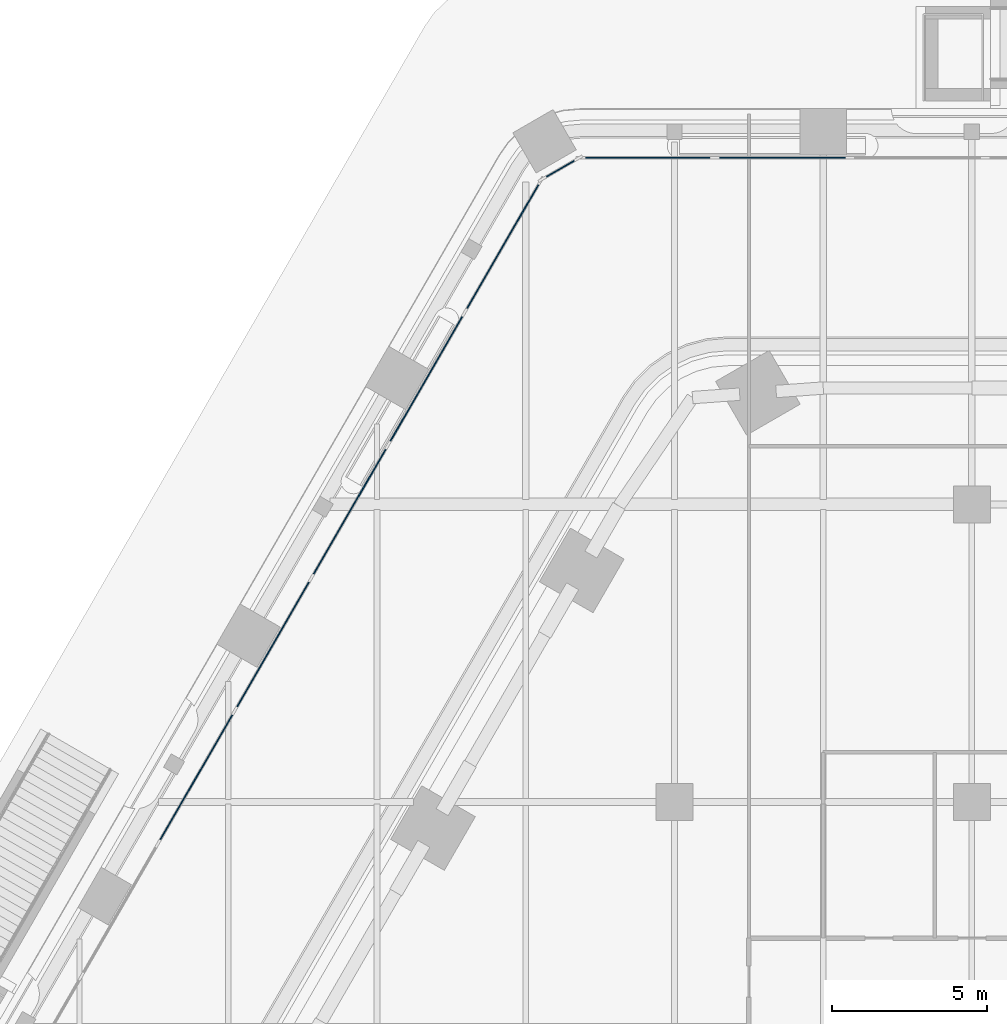
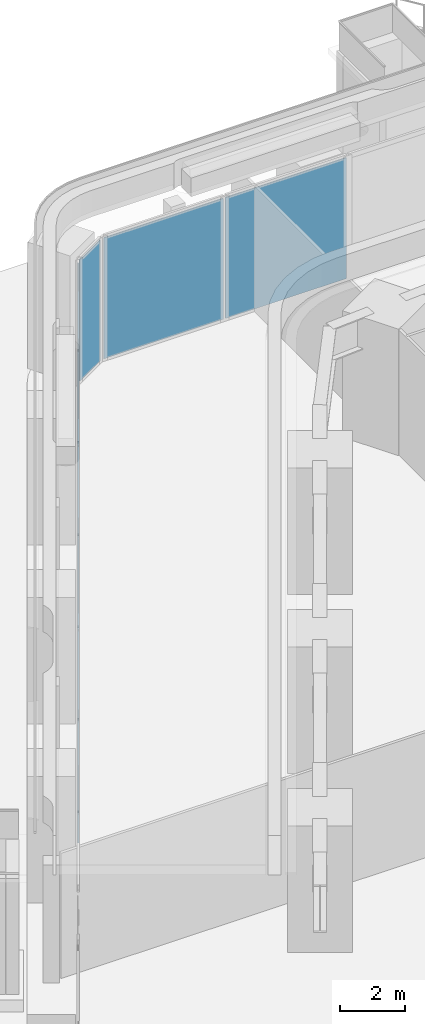
# One storey, part 16 of 34: 8 plates, 3 elements without a shape of their own.
"""IFC4 building model written with IfcOpenShell, lengths in metres."""

from ifc_helpers import new_model, si_unit, direction, frame, origin, origin_2d, place, context, subcontext, project, spatial, rectangle, extrude, material, layer, layer_set, type_object, element, aggregate, save


model = new_model("IFC4")

# Units and contexts
model_context = context("Model", 3, precision=1e-05, world=origin(), true_north=direction((0.0, 1.0)))
body_context = subcontext(model_context, "Body", "Model", "MODEL_VIEW")
ifc_project = project(units=[si_unit("LENGTHUNIT", "METRE"), si_unit("AREAUNIT", "SQUARE_METRE"), si_unit("VOLUMEUNIT", "CUBIC_METRE"), si_unit("PLANEANGLEUNIT", "RADIAN"), si_unit("MASSUNIT", "GRAM", prefix="KILO")], contexts=[model_context])

# Site, building, storey
site_placement = place(None, origin())
site = spatial("IfcSite", under=ifc_project, at=site_placement, CompositionType="ELEMENT")
building_placement = place(site_placement, origin())
building = spatial("IfcBuilding", under=site, at=building_placement, Name="Kolab Exchange Tower", CompositionType="ELEMENT")
storey_placement = place(building_placement, frame((0.0, 0.0, 12.39990234375)))
storey = spatial("IfcBuildingStorey", under=building, at=storey_placement, Name="L02", CompositionType="ELEMENT", Elevation=12.39990234375)

# Curtain wall, plates
ifc_material_1 = material(Name="Aluminium EN AW-6063 T6", Category="aluminium")
curtain_wall_type = type_object("IfcCurtainWallType", Name="PODIUM STRUCTURAL GLAZING CURTAIN WALL", PredefinedType="NOTDEFINED", material=ifc_material_1)
curtain_wall_1_placement = place(storey_placement, origin())
curtain_wall_1 = element("IfcCurtainWall", 1, at=curtain_wall_1_placement, inside=storey, type_object=curtain_wall_type, Name="cw/L02/F1-1", PredefinedType="NOTDEFINED")
ifc_material_2 = material(Name="Clear insulated glazing unit", Category="glass")
ifc_layer = layer(ifc_material_2, 0.035888671875)
ifc_layer_set = layer_set([ifc_layer], Name="Clear insulated glazing unit")
plate_type = type_object("IfcPlateType", Name="PODIUM STRUCTURAL GLAZING GLASS PANEL 36", PredefinedType="CURTAIN_PANEL", material=ifc_layer_set)
plate_1_placement = place(storey_placement, frame((-20.064453125, 39.9892578125, 0.080078125), z_axis=(0.0, 0.0, 1.0), x_axis=(1.0, 0.0, 0.0)))
plate_1 = element("IfcPlate", 2, at=plate_1_placement, type_object=plate_type, Name="CW5 panel 1.1", PredefinedType="CURTAIN_PANEL", context=body_context, shape_type="SweptSolid", body=[
    extrude(rectangle(XDim=4.2470703125, YDim=0.035888671875, at=origin_2d()), origin(), (0.0, 0.0, 1.0), 4.5400390625),
])
plate_2_placement = place(storey_placement, frame((-15.717529296875, 39.9892578125, 0.080078125), z_axis=(0.0, 0.0, 1.0), x_axis=(1.0, 0.0, 0.0)))
plate_2 = element("IfcPlate", 3, at=plate_2_placement, type_object=plate_type, Name="CW5 panel 2.1", PredefinedType="CURTAIN_PANEL", context=body_context, shape_type="SweptSolid", body=[
    extrude(rectangle(XDim=4.286865234375, YDim=0.035888671875, at=origin_2d()), origin(), (0.0, 0.0, 1.0), 4.5400390625),
])
aggregate(curtain_wall_1, [plate_1, plate_2])

curtain_wall_2_placement = place(storey_placement, origin())
curtain_wall_2 = element("IfcCurtainWall", 4, at=curtain_wall_2_placement, inside=storey, type_object=curtain_wall_type, Name="cw/L02/F6-1", PredefinedType="NOTDEFINED")
plate_3_placement = place(storey_placement, frame((-34.631591796875, 19.99462890625, 0.080078125), z_axis=(0.0, 0.0, 1.0), x_axis=(0.500000000469, 0.866025403514, 0.0)))
plate_3 = element("IfcPlate", 5, at=plate_3_placement, type_object=plate_type, Name="CW5 panel 5.1", PredefinedType="CURTAIN_PANEL", context=body_context, shape_type="SweptSolid", body=[
    extrude(rectangle(XDim=4.868408203125, YDim=0.035888671875, at=origin_2d()), origin(), (0.0, 0.0, 1.0), 4.5400390625),
])
plate_4_placement = place(storey_placement, frame((-32.157470703125, 24.280029296875, 0.080078125), z_axis=(0.0, 0.0, 1.0), x_axis=(0.500000000469, 0.866025403514, 0.0)))
plate_4 = element("IfcPlate", 6, at=plate_4_placement, type_object=plate_type, Name="CW5 panel 6.1", PredefinedType="CURTAIN_PANEL", context=body_context, shape_type="SweptSolid", body=[
    extrude(rectangle(XDim=4.868408203125, YDim=0.035888671875, at=origin_2d()), origin(), (0.0, 0.0, 1.0), 4.5400390625),
])
plate_5_placement = place(storey_placement, frame((-29.683349609375, 28.5654296875, 0.080078125), z_axis=(0.0, 0.0, 1.0), x_axis=(0.500000000469, 0.866025403514, 0.0)))
plate_5 = element("IfcPlate", 7, at=plate_5_placement, type_object=plate_type, Name="CW5 panel 7.1", PredefinedType="CURTAIN_PANEL", context=body_context, shape_type="SweptSolid", body=[
    extrude(rectangle(XDim=4.868408203125, YDim=0.035888671875, at=origin_2d()), origin(), (0.0, 0.0, 1.0), 4.5400390625),
])
plate_6_placement = place(storey_placement, frame((-27.208984375, 32.85107421875, 0.080078125), z_axis=(0.0, 0.0, 1.0), x_axis=(0.500000000469, 0.866025403514, 0.0)))
plate_6 = element("IfcPlate", 8, at=plate_6_placement, type_object=plate_type, Name="CW5 panel 8.1", PredefinedType="CURTAIN_PANEL", context=body_context, shape_type="SweptSolid", body=[
    extrude(rectangle(XDim=4.868408203125, YDim=0.035888671875, at=origin_2d()), origin(), (0.0, 0.0, 1.0), 4.5400390625),
])
plate_7_placement = place(storey_placement, frame((-24.744873046875, 37.119140625, 0.080078125), z_axis=(0.0, 0.0, 1.0), x_axis=(0.500000000469, 0.866025403514, 0.0)))
plate_7 = element("IfcPlate", 9, at=plate_7_placement, type_object=plate_type, Name="CW5 panel 9.1", PredefinedType="CURTAIN_PANEL", context=body_context, shape_type="SweptSolid", body=[
    extrude(rectangle(XDim=4.828369140625, YDim=0.035888671875, at=origin_2d()), origin(), (0.0, 0.0, 1.0), 4.5400390625),
])
aggregate(curtain_wall_2, [plate_3, plate_4, plate_5, plate_6, plate_7])

# Curtain wall, plate
curtain_wall_3_placement = place(storey_placement, origin())
curtain_wall_3 = element("IfcCurtainWall", 10, at=curtain_wall_3_placement, inside=storey, type_object=curtain_wall_type, Name="cw/L02/F6F1-corner", PredefinedType="NOTDEFINED")
plate_8_placement = place(storey_placement, frame((-22.8828125, 39.63427734375, 0.080078125), z_axis=(0.0, 0.0, 1.0), x_axis=(0.866025390869, 0.50000002237, 0.0)))
plate_8 = element("IfcPlate", 11, at=plate_8_placement, type_object=plate_type, Name="CW5 panel 1.1", PredefinedType="CURTAIN_PANEL", context=body_context, shape_type="SweptSolid", body=[
    extrude(rectangle(XDim=1.260009765625, YDim=0.035888671875, at=origin_2d()), origin(), (0.0, 0.0, 1.0), 4.5400390625),
])
aggregate(curtain_wall_3, [plate_8])

save(model, "model.ifc")
